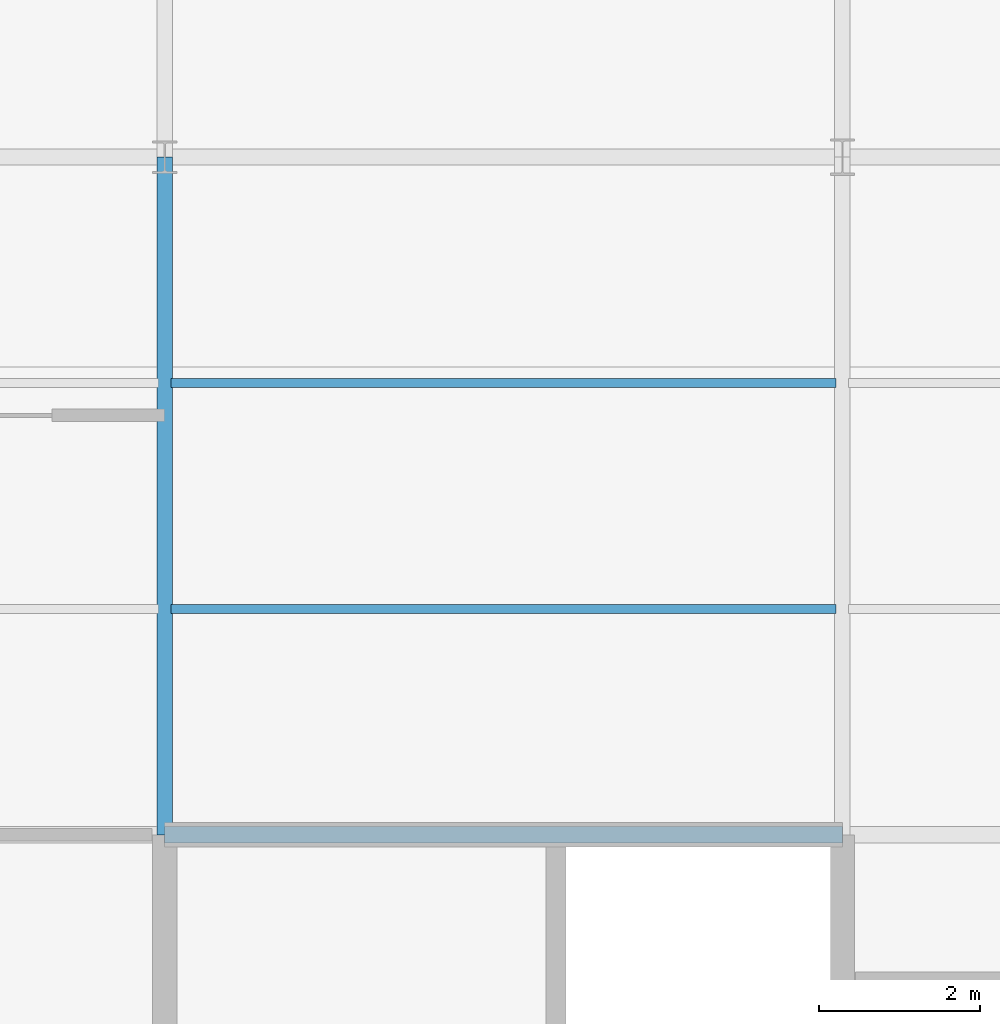
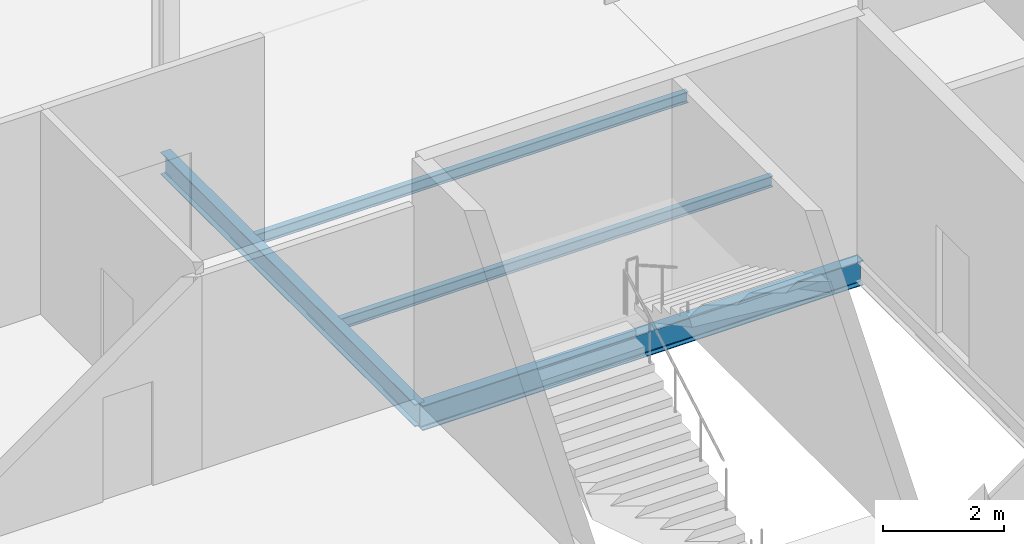
# One storey, part 8 of 28: 4 beams.
"""IFC4 building model written with IfcOpenShell, lengths in metres."""

from ifc_helpers import new_model, si_unit, direction, frame, origin, origin_2d, place, context, subcontext, project, spatial, i_section, extrude, material, material_profile, profile_set, type_object, element, save


model = new_model("IFC4")

# Units and contexts
model_context = context("Model", 3, precision=1e-05, world=origin(), true_north=direction((0.0, 1.0)))
body_context = subcontext(model_context, "Body", "Model", "MODEL_VIEW")
ifc_project = project(units=[si_unit("LENGTHUNIT", "METRE"), si_unit("AREAUNIT", "SQUARE_METRE"), si_unit("VOLUMEUNIT", "CUBIC_METRE"), si_unit("PLANEANGLEUNIT", "RADIAN"), si_unit("MASSUNIT", "GRAM", prefix="KILO")], contexts=[model_context])

# Site, building, storey
site_placement = place(None, origin())
site = spatial("IfcSite", under=ifc_project, at=site_placement, CompositionType="ELEMENT")
building_placement = place(site_placement, origin())
building = spatial("IfcBuilding", under=site, at=building_placement, Name="Qalvenar Corner Mobility Hub", CompositionType="ELEMENT")
storey_placement = place(building_placement, frame((0.0, 0.0, 21.60009765625)))
storey = spatial("IfcBuildingStorey", under=building, at=storey_placement, Name="L05", CompositionType="ELEMENT", Elevation=21.60009765625)

# Beams
ifc_material = material(Name="Steel S355", Category="steel")
ifc_material_profile_1 = material_profile(ifc_material, i_section(OverallWidth=0.18994140625, OverallDepth=0.449951171875, WebThickness=0.009521484375, FlangeThickness=0.0146484375, FilletRadius=0.02099609375, at=origin_2d()), Name="IPE450")
ifc_profile_set_1 = profile_set([ifc_material_profile_1], Name="Steel S355")
beam_type_1 = type_object("IfcBeamType", Name="BM-IPE450", PredefinedType="BEAM", material=ifc_profile_set_1)
beam_1_placement = place(storey_placement, frame((8.39990234375, 16.800048828125, -0.405029296875), z_axis=(0.0, 1.0, 0.0), x_axis=(-1.0, 0.0, 0.0)))
element("IfcBeam", 1, at=beam_1_placement, inside=storey, type_object=beam_type_1, Name="Primary Steel Girder GY-2982", PredefinedType="BEAM", context=body_context, shape_type="SweptSolid", body=[
    extrude(i_section(OverallWidth=0.18994140625, OverallDepth=0.449951171875, WebThickness=0.009521484375, FlangeThickness=0.0146484375, FilletRadius=0.02099609375, at=origin_2d()), origin(), (0.0, 0.0, 1.0), 8.39990234375),
])
ifc_material_profile_2 = material_profile(ifc_material, i_section(OverallWidth=0.199951171875, OverallDepth=0.5, WebThickness=0.01025390625, FlangeThickness=0.01611328125, FilletRadius=0.02099609375, at=origin_2d()), Name="IPE500")
ifc_profile_set_2 = profile_set([ifc_material_profile_2], Name="Steel S355")
beam_type_2 = type_object("IfcBeamType", Name="BM-IPE500", PredefinedType="BEAM", material=ifc_profile_set_2)
beam_2_placement = place(storey_placement, frame((8.39990234375, 16.800048828125, -0.43017578125), z_axis=(1.0, 0.0, 0.0), x_axis=(0.0, 1.0, 0.0)))
element("IfcBeam", 2, at=beam_2_placement, inside=storey, type_object=beam_type_2, Name="Primary Steel Girder GX-2956", PredefinedType="BEAM", context=body_context, shape_type="SweptSolid", body=[
    extrude(i_section(OverallWidth=0.199951171875, OverallDepth=0.5, WebThickness=0.01025390625, FlangeThickness=0.01611328125, FilletRadius=0.02099609375, at=origin_2d()), origin(), (0.0, 0.0, 1.0), 8.400146484375),
])
ifc_material_profile_3 = material_profile(ifc_material, i_section(OverallWidth=0.110107421875, OverallDepth=0.219970703125, WebThickness=0.005859375, FlangeThickness=0.00927734375, FilletRadius=0.011962890625, at=origin_2d()), Name="IPE220")
ifc_profile_set_3 = profile_set([ifc_material_profile_3], Name="Steel S355")
beam_type_3 = type_object("IfcBeamType", Name="BM-JST220", PredefinedType="JOIST", material=ifc_profile_set_3)
for number, where, z_axis, x_axis, name in (
    (3, (8.47802734375, 19.60009765625, -0.2900390625), (1.0, 0.0, 0.0), (0.0, 1.0, 0.0), "Composite Floor Joist J-3018"),
    (4, (8.47802734375, 22.39990234375, -0.2900390625), (1.0, 0.0, 0.0), (0.0, 1.0, 0.0), "Composite Floor Joist J-3019"),
):
    element("IfcBeam", number, at=place(storey_placement, frame(where, z_axis=z_axis, x_axis=x_axis)), inside=storey, type_object=beam_type_3, Name=name, PredefinedType="JOIST", context=body_context, shape_type="SweptSolid", body=[
        extrude(i_section(OverallWidth=0.110107421875, OverallDepth=0.219970703125, WebThickness=0.005859375, FlangeThickness=0.00927734375, FilletRadius=0.011962890625, at=origin_2d()), origin(), (0.0, 0.0, 1.0), 8.243896484375),
    ])

save(model, "model.ifc")
